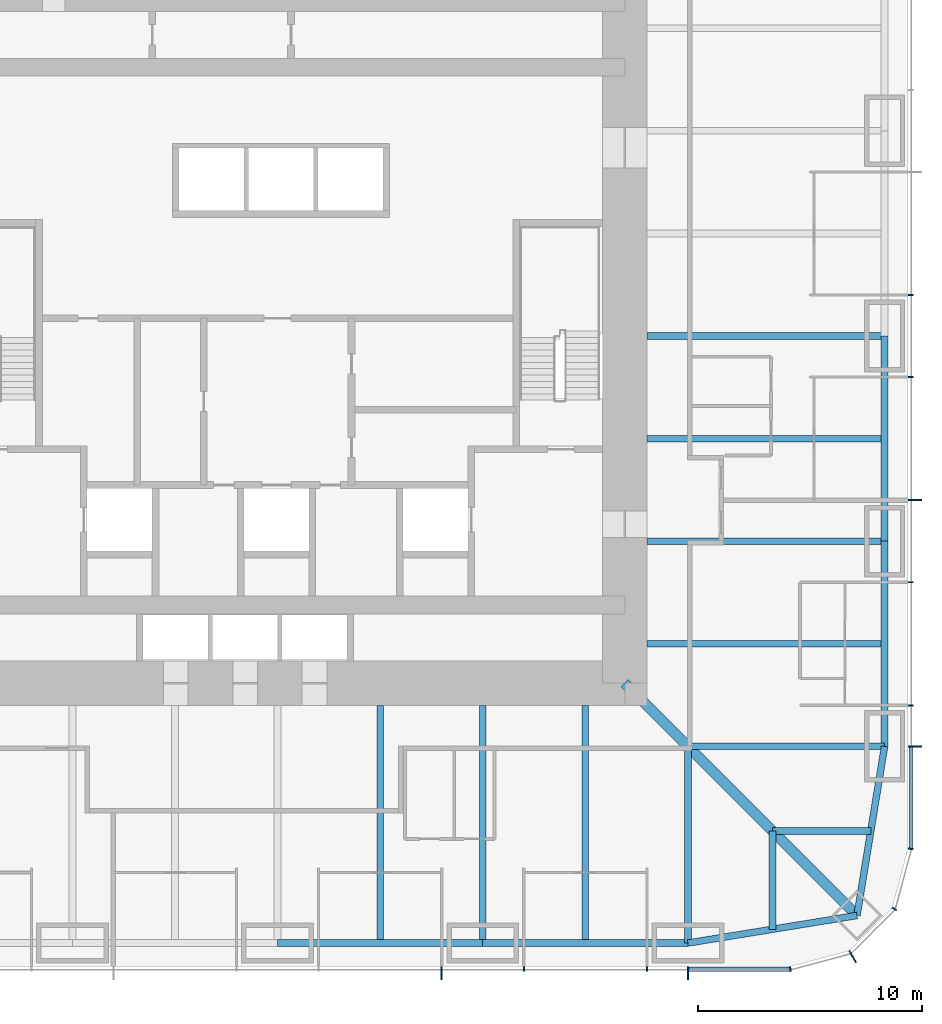
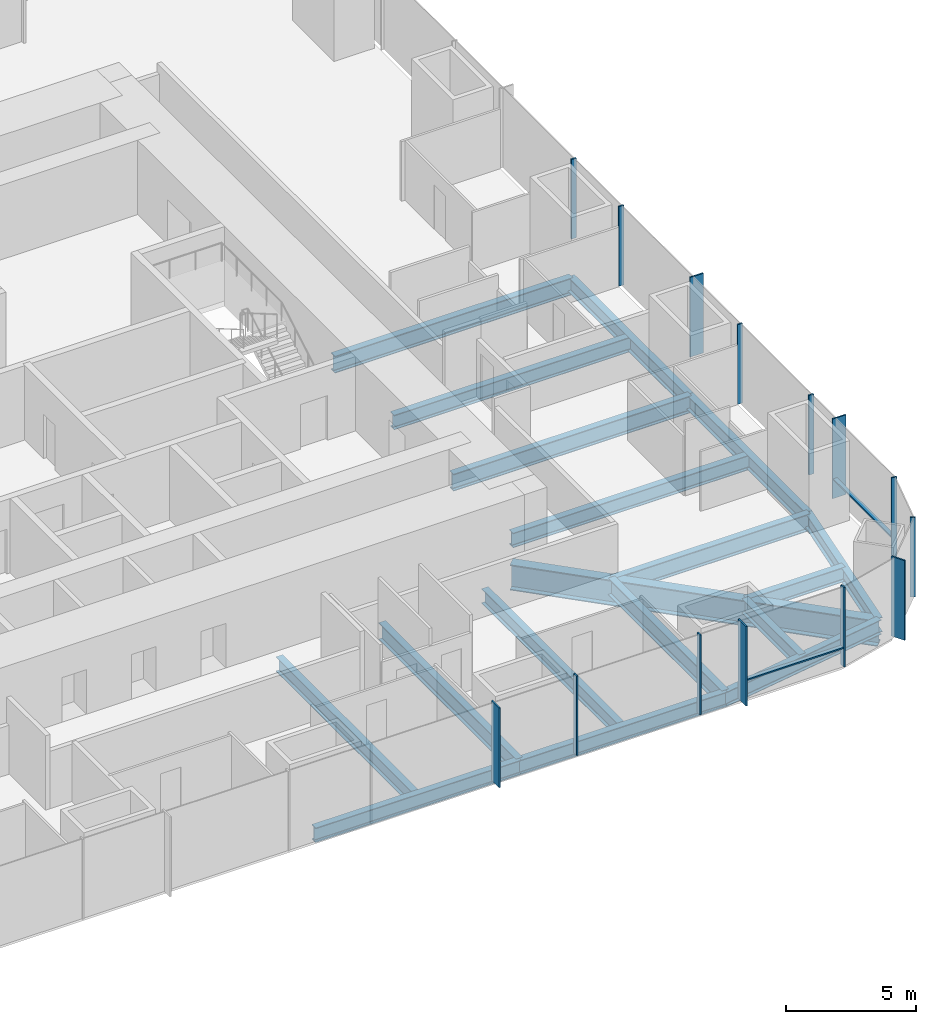
# One storey, part 3 of 11: 18 beams, 16 members, 3 elements without a shape of their own.
"""IFC4 building model written with IfcOpenShell, lengths in metres."""

from ifc_helpers import new_model, si_unit, direction, frame, origin, origin_2d, place, context, subcontext, project, spatial, rectangle, i_section, extrude, material, material_profile, profile_set, type_object, element, aggregate, save


model = new_model("IFC4")

# Units and contexts
model_context = context("Model", 3, precision=1e-05, world=origin(), true_north=direction((0.0, 1.0)))
body_context = subcontext(model_context, "Body", "Model", "MODEL_VIEW")
ifc_project = project(units=[si_unit("LENGTHUNIT", "METRE"), si_unit("AREAUNIT", "SQUARE_METRE"), si_unit("VOLUMEUNIT", "CUBIC_METRE"), si_unit("PLANEANGLEUNIT", "RADIAN"), si_unit("MASSUNIT", "GRAM", prefix="KILO")], contexts=[model_context])

# Site, building, storey
site_placement = place(None, origin())
site = spatial("IfcSite", under=ifc_project, at=site_placement, CompositionType="ELEMENT")
building_placement = place(site_placement, origin())
building = spatial("IfcBuilding", under=site, at=building_placement, Name="Khuree Lantern Residences", CompositionType="ELEMENT")
storey_placement = place(building_placement, frame((0.0, 0.0, 174.75)))
storey = spatial("IfcBuildingStorey", under=building, at=storey_placement, Name="L44", CompositionType="ELEMENT", Elevation=174.75)

# Beams
ifc_material_1 = material(Name="Steel S355", Category="steel")
ifc_material_profile_1 = material_profile(ifc_material_1, i_section(OverallWidth=0.300048828125, OverallDepth=0.68994140625, WebThickness=0.014404296875, FlangeThickness=0.027099609375, FilletRadius=0.027099609375, at=origin_2d()), Name="HE 700 A")
ifc_profile_set_1 = profile_set([ifc_material_profile_1], Name="Steel S355")
beam_type_1 = type_object("IfcBeamType", Name="B-25A SECONDARY BEAM HE 700 A", PredefinedType="BEAM", material=ifc_profile_set_1)
for number, where, z_axis, x_axis, name in (
    (1, (27.10009765625, -4.580078125, -0.594970703125), (-1.0, 0.0, 0.0), (0.0, -1.0, 0.0), "Secondary beam E4"),
    (2, (27.10009765625, -13.739990234375, -0.594970703125), (-1.0, 0.0, 0.0), (0.0, -1.0, 0.0), "Secondary beam E5"),
):
    element("IfcBeam", number, at=place(storey_placement, frame(where, z_axis=z_axis, x_axis=x_axis)), inside=storey, type_object=beam_type_1, Name=name, PredefinedType="BEAM", context=body_context, shape_type="SweptSolid", body=[
        extrude(i_section(OverallWidth=0.300048828125, OverallDepth=0.68994140625, WebThickness=0.014404296875, FlangeThickness=0.027099609375, FilletRadius=0.027099609375, at=origin_2d()), origin(), (0.0, 0.0, 1.0), 10.60009765625),
    ])
for number, where, z_axis, x_axis, name in (
    (3, (26.48486328125, -22.094970703125, -0.594970703125), (-1.0, 0.0, 0.0), (0.0, -1.0, 0.0), "Secondary beam E6"),
    (4, (22.094970703125, -26.48486328125, -0.594970703125), (0.0, 1.0, 0.0), (-1.0, 0.0, 0.0), "Secondary beam S1"),
):
    element("IfcBeam", number, at=place(storey_placement, frame(where, z_axis=z_axis, x_axis=x_axis)), inside=storey, type_object=beam_type_1, Name=name, PredefinedType="BEAM", context=body_context, shape_type="SweptSolid", body=[
        extrude(i_section(OverallWidth=0.300048828125, OverallDepth=0.68994140625, WebThickness=0.014404296875, FlangeThickness=0.027099609375, FilletRadius=0.027099609375, at=origin_2d()), origin(), (0.0, 0.0, 1.0), 4.389892578125),
    ])
for number, where, z_axis, x_axis, name in (
    (5, (13.739990234375, -27.10009765625, -0.594970703125), (0.0, 1.0, 0.0), (-1.0, 0.0, 0.0), "Secondary beam S2"),
    (6, (4.580078125, -27.10009765625, -0.594970703125), (0.0, 1.0, 0.0), (-1.0, 0.0, 0.0), "Secondary beam S3"),
):
    element("IfcBeam", number, at=place(storey_placement, frame(where, z_axis=z_axis, x_axis=x_axis)), inside=storey, type_object=beam_type_1, Name=name, PredefinedType="BEAM", context=body_context, shape_type="SweptSolid", body=[
        extrude(i_section(OverallWidth=0.300048828125, OverallDepth=0.68994140625, WebThickness=0.014404296875, FlangeThickness=0.027099609375, FilletRadius=0.027099609375, at=origin_2d()), origin(), (0.0, 0.0, 1.0), 10.60009765625),
    ])
ifc_material_profile_2 = material_profile(ifc_material_1, i_section(OverallWidth=0.300048828125, OverallDepth=0.68994140625, WebThickness=0.014404296875, FlangeThickness=0.027099609375, FilletRadius=0.027099609375, at=origin_2d()), Name="HE 700 A")
ifc_profile_set_2 = profile_set([ifc_material_profile_2], Name="Steel S355")
beam_type_2 = type_object("IfcBeamType", Name="E-25 SPANDREL BEAM HE 700 A", PredefinedType="SPANDREL", material=ifc_profile_set_2)
beam_1_placement = place(storey_placement, frame((27.10009765625, 0.0, -0.594970703125), z_axis=(0.0, -1.0, 0.0), x_axis=(1.0, 0.0, 0.0)))
element("IfcBeam", 7, at=beam_1_placement, inside=storey, type_object=beam_type_2, Name="Spandrel beam E4", PredefinedType="SPANDREL", context=body_context, shape_type="SweptSolid", body=[
    extrude(i_section(OverallWidth=0.300048828125, OverallDepth=0.68994140625, WebThickness=0.014404296875, FlangeThickness=0.027099609375, FilletRadius=0.027099609375, at=origin_2d()), origin(), (0.0, 0.0, 1.0), 9.159912109375),
])
beam_2_placement = place(storey_placement, frame((27.10009765625, -9.159912109375, -0.594970703125), z_axis=(0.0, -1.0, 0.0), x_axis=(1.0, 0.0, 0.0)))
element("IfcBeam", 8, at=beam_2_placement, inside=storey, type_object=beam_type_2, Name="Spandrel beam E5", PredefinedType="SPANDREL", context=body_context, shape_type="SweptSolid", body=[
    extrude(i_section(OverallWidth=0.300048828125, OverallDepth=0.68994140625, WebThickness=0.014404296875, FlangeThickness=0.027099609375, FilletRadius=0.027099609375, at=origin_2d()), origin(), (0.0, 0.0, 1.0), 9.16015625),
])
for number, where, z_axis, x_axis, name in (
    (9, (27.10009765625, -18.320068359375, -0.594970703125), (-0.160826723833, -0.986982656839, 0.0), (0.986982656839, -0.160826723833, 0.0), "Spandrel beam E6"),
    (10, (25.869873046875, -25.869873046875, -0.594970703125), (-0.986982656839, -0.160826723833, 0.0), (0.160826723833, -0.986982656839, 0.0), "Spandrel beam S1"),
):
    element("IfcBeam", number, at=place(storey_placement, frame(where, z_axis=z_axis, x_axis=x_axis)), inside=storey, type_object=beam_type_2, Name=name, PredefinedType="SPANDREL", context=body_context, shape_type="SweptSolid", body=[
        extrude(i_section(OverallWidth=0.300048828125, OverallDepth=0.68994140625, WebThickness=0.014404296875, FlangeThickness=0.027099609375, FilletRadius=0.027099609375, at=origin_2d()), origin(), (0.0, 0.0, 1.0), 7.6494140625),
    ])
beam_3_placement = place(storey_placement, frame((18.320068359375, -27.10009765625, -0.594970703125), z_axis=(-1.0, 0.0, 0.0), x_axis=(0.0, -1.0, 0.0)))
element("IfcBeam", 11, at=beam_3_placement, inside=storey, type_object=beam_type_2, Name="Spandrel beam S2", PredefinedType="SPANDREL", context=body_context, shape_type="SweptSolid", body=[
    extrude(i_section(OverallWidth=0.300048828125, OverallDepth=0.68994140625, WebThickness=0.014404296875, FlangeThickness=0.027099609375, FilletRadius=0.027099609375, at=origin_2d()), origin(), (0.0, 0.0, 1.0), 9.16015625),
])
beam_4_placement = place(storey_placement, frame((9.159912109375, -27.10009765625, -0.594970703125), z_axis=(-1.0, 0.0, 0.0), x_axis=(0.0, -1.0, 0.0)))
element("IfcBeam", 12, at=beam_4_placement, inside=storey, type_object=beam_type_2, Name="Spandrel beam S3", PredefinedType="SPANDREL", context=body_context, shape_type="SweptSolid", body=[
    extrude(i_section(OverallWidth=0.300048828125, OverallDepth=0.68994140625, WebThickness=0.014404296875, FlangeThickness=0.027099609375, FilletRadius=0.027099609375, at=origin_2d()), origin(), (0.0, 0.0, 1.0), 9.159912109375),
])

# Curtain wall, member
ifc_material_2 = material(Name="Bronze anodised aluminium", Category="aluminium")
curtain_wall_type_1 = type_object("IfcCurtainWallType", Name="CW-T2 TOWER CORNER CURTAIN WALL", PredefinedType="USERDEFINED", material=ifc_material_2)
curtain_wall_1_placement = place(storey_placement, origin())
curtain_wall_1 = element("IfcCurtainWall", 13, at=curtain_wall_1_placement, inside=storey, type_object=curtain_wall_type_1, Name="L44 SOUTH-EAST CORNER CURTAIN WALL", ObjectType="Faceted corner curtain wall", PredefinedType="USERDEFINED")
ifc_material_profile_3 = material_profile(ifc_material_2, rectangle(XDim=0.06494140625, YDim=0.60009765625, at=origin_2d()), Name="F1 65X600")
ifc_profile_set_3 = profile_set([ifc_material_profile_3], Name="Bronze anodised aluminium")
member_type_1 = type_object("IfcMemberType", Name="F1 BRONZE FIN MULLION TOWER 65X600", PredefinedType="MULLION", material=ifc_profile_set_3)
member_1_placement = place(storey_placement, frame((25.675048828125, -27.70654296875, 0.0), z_axis=(0.0, 0.0, 1.0), x_axis=(0.866025388199, 0.500000026995, 0.0)))
member_1 = element("IfcMember", 14, at=member_1_placement, type_object=member_type_1, Name="L44 SOUTH-EAST CORNER FIN MULLION 2", PredefinedType="MULLION", context=body_context, shape_type="SweptSolid", body=[
    extrude(rectangle(XDim=0.06494140625, YDim=0.60009765625, at=origin_2d()), origin(), (0.0, 0.0, 1.0), 3.75),
])

# Curtain wall, members
curtain_wall_type_2 = type_object("IfcCurtainWallType", Name="CW-T1 TOWER FACE CURTAIN WALL", PredefinedType="USERDEFINED", material=ifc_material_2)
curtain_wall_2_placement = place(storey_placement, origin())
curtain_wall_2 = element("IfcCurtainWall", 15, at=curtain_wall_2_placement, inside=storey, type_object=curtain_wall_type_2, Name="L44 EAST FACE CURTAIN WALL", ObjectType="Stick-built curtain wall", PredefinedType="USERDEFINED")
member_2_placement = place(storey_placement, frame((28.449951171875, -18.320068359375, 0.0), z_axis=(0.0, 0.0, 1.0), x_axis=(0.0, 1.0, 0.0)))
member_2 = element("IfcMember", 16, at=member_2_placement, type_object=member_type_1, Name="L44 EAST FACE FIN MULLION 5", PredefinedType="MULLION", context=body_context, shape_type="SweptSolid", body=[
    extrude(rectangle(XDim=0.06494140625, YDim=0.60009765625, at=origin_2d()), origin(), (0.0, 0.0, 1.0), 3.75),
])
member_3_placement = place(storey_placement, frame((28.449951171875, -7.327880859375, 0.0), z_axis=(0.0, 0.0, 1.0), x_axis=(0.0, 1.0, 0.0)))
member_3 = element("IfcMember", 17, at=member_3_placement, type_object=member_type_1, Name="L44 EAST FACE FIN MULLION 8", PredefinedType="MULLION", context=body_context, shape_type="SweptSolid", body=[
    extrude(rectangle(XDim=0.06494140625, YDim=0.60009765625, at=origin_2d()), origin(), (0.0, 0.0, 1.0), 3.75),
])

curtain_wall_3_placement = place(storey_placement, origin())
curtain_wall_3 = element("IfcCurtainWall", 18, at=curtain_wall_3_placement, inside=storey, type_object=curtain_wall_type_2, Name="L44 SOUTH FACE CURTAIN WALL", ObjectType="Stick-built curtain wall", PredefinedType="USERDEFINED")
member_4_placement = place(storey_placement, frame((7.327880859375, -28.449951171875, 0.0), z_axis=(0.0, 0.0, 1.0), x_axis=(1.0, 0.0, 0.0)))
member_4 = element("IfcMember", 19, at=member_4_placement, type_object=member_type_1, Name="L44 SOUTH FACE FIN MULLION 53", PredefinedType="MULLION", context=body_context, shape_type="SweptSolid", body=[
    extrude(rectangle(XDim=0.06494140625, YDim=0.60009765625, at=origin_2d()), origin(), (0.0, 0.0, 1.0), 3.75),
])
member_5_placement = place(storey_placement, frame((18.320068359375, -28.449951171875, 0.0), z_axis=(0.0, 0.0, 1.0), x_axis=(1.0, 0.0, 0.0)))
member_5 = element("IfcMember", 20, at=member_5_placement, type_object=member_type_1, Name="L44 SOUTH FACE FIN MULLION 56", PredefinedType="MULLION", context=body_context, shape_type="SweptSolid", body=[
    extrude(rectangle(XDim=0.06494140625, YDim=0.60009765625, at=origin_2d()), origin(), (0.0, 0.0, 1.0), 3.75),
])

# Beams
ifc_material_profile_4 = material_profile(ifc_material_1, i_section(OverallWidth=0.300048828125, OverallDepth=0.800048828125, WebThickness=0.017578125, FlangeThickness=0.032958984375, FilletRadius=0.030029296875, at=origin_2d()), Name="HE 800 B")
ifc_profile_set_4 = profile_set([ifc_material_profile_4], Name="Steel S355")
beam_type_3 = type_object("IfcBeamType", Name="G-25A GIRDER HE 800 B", PredefinedType="BEAM", material=ifc_profile_set_4)
for number, where, z_axis, x_axis, name in (
    (21, (27.10009765625, 0.0, -0.64990234375), (-1.0, 0.0, 0.0), (0.0, -1.0, 0.0), "Girder E3"),
    (22, (27.10009765625, -9.159912109375, -0.64990234375), (-1.0, 0.0, 0.0), (0.0, -1.0, 0.0), "Girder E4"),
):
    element("IfcBeam", number, at=place(storey_placement, frame(where, z_axis=z_axis, x_axis=x_axis)), inside=storey, type_object=beam_type_3, Name=name, PredefinedType="BEAM", context=body_context, shape_type="SweptSolid", body=[
        extrude(i_section(OverallWidth=0.300048828125, OverallDepth=0.800048828125, WebThickness=0.017578125, FlangeThickness=0.032958984375, FilletRadius=0.030029296875, at=origin_2d()), origin(), (0.0, 0.0, 1.0), 10.60009765625),
    ])
for number, where, z_axis, x_axis, name in (
    (23, (27.10009765625, -18.320068359375, -0.64990234375), (-1.0, 0.0, 0.0), (0.0, -1.0, 0.0), "Girder E5"),
    (24, (18.320068359375, -27.10009765625, -0.64990234375), (0.0, 1.0, 0.0), (-1.0, 0.0, 0.0), "Girder S1"),
):
    element("IfcBeam", number, at=place(storey_placement, frame(where, z_axis=z_axis, x_axis=x_axis)), inside=storey, type_object=beam_type_3, Name=name, PredefinedType="BEAM", context=body_context, shape_type="SweptSolid", body=[
        extrude(i_section(OverallWidth=0.300048828125, OverallDepth=0.800048828125, WebThickness=0.017578125, FlangeThickness=0.032958984375, FilletRadius=0.030029296875, at=origin_2d()), origin(), (0.0, 0.0, 1.0), 8.780029296875),
    ])
beam_5_placement = place(storey_placement, frame((9.159912109375, -27.10009765625, -0.64990234375), z_axis=(0.0, 1.0, 0.0), x_axis=(-1.0, 0.0, 0.0)))
element("IfcBeam", 25, at=beam_5_placement, inside=storey, type_object=beam_type_3, Name="Girder S2", PredefinedType="BEAM", context=body_context, shape_type="SweptSolid", body=[
    extrude(i_section(OverallWidth=0.300048828125, OverallDepth=0.800048828125, WebThickness=0.017578125, FlangeThickness=0.032958984375, FilletRadius=0.030029296875, at=origin_2d()), origin(), (0.0, 0.0, 1.0), 10.60009765625),
])
ifc_material_profile_5 = material_profile(ifc_material_1, i_section(OverallWidth=0.449951171875, OverallDepth=1.199951171875, WebThickness=0.02490234375, FlangeThickness=0.044921875, at=origin_2d()), Name="WELDED I 1200X450X25X45")
ifc_profile_set_5 = profile_set([ifc_material_profile_5], Name="Steel S355")
beam_type_4 = type_object("IfcBeamType", Name="GD-25 CORNER GIRDER WELDED I 1200X450X25X45", PredefinedType="BEAM", material=ifc_profile_set_5)
beam_6_placement = place(storey_placement, frame((25.869873046875, -25.869873046875, -0.85009765625), z_axis=(-0.707106781187, 0.707106781187, 0.0), x_axis=(-0.707106781187, -0.707106781187, 0.0)))
element("IfcBeam", 26, at=beam_6_placement, inside=storey, type_object=beam_type_4, Name="Corner girder SE", PredefinedType="BEAM", context=body_context, shape_type="SweptSolid", body=[
    extrude(i_section(OverallWidth=0.449951171875, OverallDepth=1.199951171875, WebThickness=0.02490234375, FlangeThickness=0.044921875, at=origin_2d()), origin(), (0.0, 0.0, 1.0), 14.665283203125),
])

# Member
ifc_material_profile_6 = material_profile(ifc_material_2, rectangle(XDim=0.06494140625, YDim=0.219970703125, at=origin_2d()), Name="M1 65X220")
ifc_profile_set_6 = profile_set([ifc_material_profile_6], Name="Bronze anodised aluminium")
member_type_2 = type_object("IfcMemberType", Name="M1 BRONZE MULLION TOWER 65X220", PredefinedType="MULLION", material=ifc_profile_set_6)
member_6_placement = place(storey_placement, frame((22.89501953125, -28.26171875, 0.0), z_axis=(0.0, 0.0, 1.0), x_axis=(0.991444857305, 0.130526223125, 0.0)))
member_6 = element("IfcMember", 27, at=member_6_placement, type_object=member_type_2, Name="L44 SOUTH-EAST CORNER MULLION 1", PredefinedType="MULLION", context=body_context, shape_type="SweptSolid", body=[
    extrude(rectangle(XDim=0.06494140625, YDim=0.219970703125, at=origin_2d()), origin(), (0.0, 0.0, 1.0), 3.75),
])

member_7_placement = place(storey_placement, frame((27.5419921875, -25.580078125, 0.0), z_axis=(0.0, 0.0, 1.0), x_axis=(0.500000026995, 0.866025388199, 0.0)))
member_7 = element("IfcMember", 28, at=member_7_placement, type_object=member_type_2, Name="L44 SOUTH-EAST CORNER MULLION 3", PredefinedType="MULLION", context=body_context, shape_type="SweptSolid", body=[
    extrude(rectangle(XDim=0.06494140625, YDim=0.219970703125, at=origin_2d()), origin(), (0.0, 0.0, 1.0), 3.75),
])

aggregate(curtain_wall_1, [member_6, member_1, member_7])

member_8_placement = place(storey_placement, frame((28.26171875, -22.89501953125, 0.0), z_axis=(0.0, 0.0, 1.0), x_axis=(0.130526223125, 0.991444857305, 0.0)))
member_8 = element("IfcMember", 29, at=member_8_placement, type_object=member_type_2, Name="L44 EAST FACE MULLION 4", PredefinedType="MULLION", context=body_context, shape_type="SweptSolid", body=[
    extrude(rectangle(XDim=0.06494140625, YDim=0.219970703125, at=origin_2d()), origin(), (0.0, 0.0, 1.0), 3.75),
])

member_9_placement = place(storey_placement, frame((28.260009765625, -16.488037109375, 0.0), z_axis=(0.0, 0.0, 1.0), x_axis=(0.0, 1.0, 0.0)))
member_9 = element("IfcMember", 30, at=member_9_placement, type_object=member_type_2, Name="L44 EAST FACE MULLION 6", PredefinedType="MULLION", context=body_context, shape_type="SweptSolid", body=[
    extrude(rectangle(XDim=0.06494140625, YDim=0.219970703125, at=origin_2d()), origin(), (0.0, 0.0, 1.0), 3.75),
])

member_10_placement = place(storey_placement, frame((28.260009765625, -10.991943359375, 0.0), z_axis=(0.0, 0.0, 1.0), x_axis=(0.0, 1.0, 0.0)))
member_10 = element("IfcMember", 31, at=member_10_placement, type_object=member_type_2, Name="L44 EAST FACE MULLION 7", PredefinedType="MULLION", context=body_context, shape_type="SweptSolid", body=[
    extrude(rectangle(XDim=0.06494140625, YDim=0.219970703125, at=origin_2d()), origin(), (0.0, 0.0, 1.0), 3.75),
])

member_11_placement = place(storey_placement, frame((28.260009765625, -1.83203125, 0.0), z_axis=(0.0, 0.0, 1.0), x_axis=(0.0, 1.0, 0.0)))
member_11 = element("IfcMember", 32, at=member_11_placement, type_object=member_type_2, Name="L44 EAST FACE MULLION 9", PredefinedType="MULLION", context=body_context, shape_type="SweptSolid", body=[
    extrude(rectangle(XDim=0.06494140625, YDim=0.219970703125, at=origin_2d()), origin(), (0.0, 0.0, 1.0), 3.75),
])

member_12_placement = place(storey_placement, frame((28.260009765625, 1.83203125, 0.0), z_axis=(0.0, 0.0, 1.0), x_axis=(0.0, 1.0, 0.0)))
member_12 = element("IfcMember", 33, at=member_12_placement, type_object=member_type_2, Name="L44 EAST FACE MULLION 10", PredefinedType="MULLION", context=body_context, shape_type="SweptSolid", body=[
    extrude(rectangle(XDim=0.06494140625, YDim=0.219970703125, at=origin_2d()), origin(), (0.0, 0.0, 1.0), 3.75),
])

member_13_placement = place(storey_placement, frame((10.991943359375, -28.260009765625, 0.0), z_axis=(0.0, 0.0, 1.0), x_axis=(1.0, 0.0, 0.0)))
member_13 = element("IfcMember", 34, at=member_13_placement, type_object=member_type_2, Name="L44 SOUTH FACE MULLION 54", PredefinedType="MULLION", context=body_context, shape_type="SweptSolid", body=[
    extrude(rectangle(XDim=0.06494140625, YDim=0.219970703125, at=origin_2d()), origin(), (0.0, 0.0, 1.0), 3.75),
])

member_14_placement = place(storey_placement, frame((16.488037109375, -28.260009765625, 0.0), z_axis=(0.0, 0.0, 1.0), x_axis=(1.0, 0.0, 0.0)))
member_14 = element("IfcMember", 35, at=member_14_placement, type_object=member_type_2, Name="L44 SOUTH FACE MULLION 55", PredefinedType="MULLION", context=body_context, shape_type="SweptSolid", body=[
    extrude(rectangle(XDim=0.06494140625, YDim=0.219970703125, at=origin_2d()), origin(), (0.0, 0.0, 1.0), 3.75),
])

ifc_material_profile_7 = material_profile(ifc_material_2, rectangle(XDim=0.179931640625, YDim=0.06494140625, at=origin_2d()), Name="T1 180X65")
ifc_profile_set_7 = profile_set([ifc_material_profile_7], Name="Bronze anodised aluminium")
member_type_3 = type_object("IfcMemberType", Name="TRANSOM T1 TOWER 180X65", PredefinedType="USERDEFINED", material=ifc_profile_set_7)
member_15_placement = place(storey_placement, frame((28.27001953125, -22.851318359375, 0.89990234375), z_axis=(0.0, 1.0, 0.0), x_axis=(-1.0, 0.0, 0.0)))
member_15 = element("IfcMember", 36, at=member_15_placement, type_object=member_type_3, Name="L44 EAST FACE TRANSOM 4.1", ObjectType="Transom", PredefinedType="USERDEFINED", context=body_context, shape_type="SweptSolid", body=[
    extrude(rectangle(XDim=0.179931640625, YDim=0.06494140625, at=origin_2d()), origin(), (0.0, 0.0, 1.0), 4.498779296875),
])

aggregate(curtain_wall_2, [member_8, member_2, member_9, member_10, member_3, member_11, member_12, member_15])

member_16_placement = place(storey_placement, frame((18.3525390625, -28.27001953125, 0.89990234375), z_axis=(1.0, 0.0, 0.0), x_axis=(0.0, 1.0, 0.0)))
member_16 = element("IfcMember", 37, at=member_16_placement, type_object=member_type_3, Name="L44 SOUTH FACE TRANSOM 56.1", ObjectType="Transom", PredefinedType="USERDEFINED", context=body_context, shape_type="SweptSolid", body=[
    extrude(rectangle(XDim=0.179931640625, YDim=0.06494140625, at=origin_2d()), origin(), (0.0, 0.0, 1.0), 4.498779296875),
])

aggregate(curtain_wall_3, [member_4, member_13, member_14, member_5, member_16])

save(model, "model.ifc")
